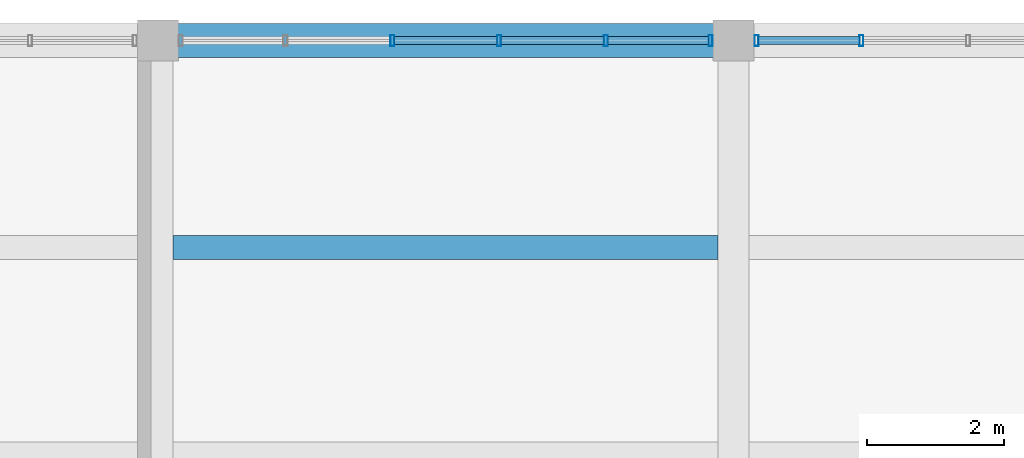
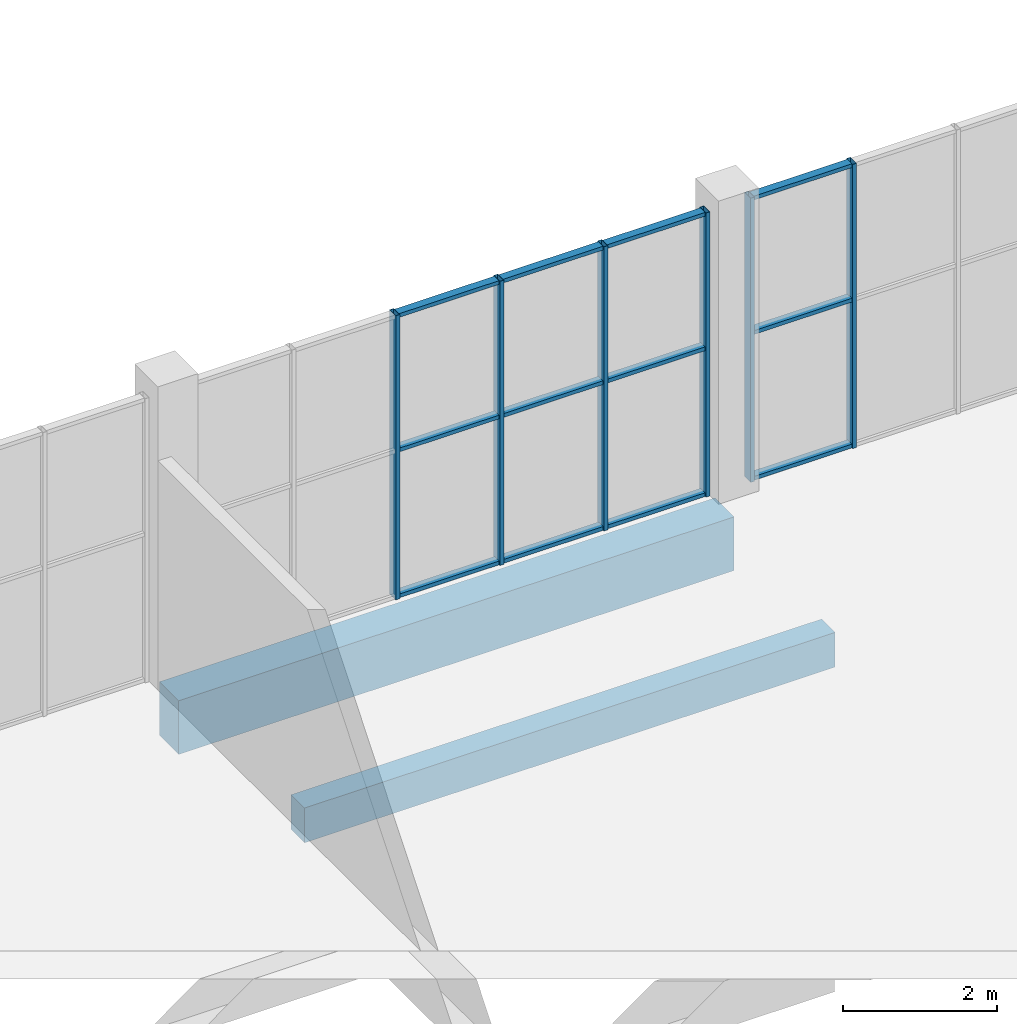
# One storey, part 39 of 80: 18 members, 2 beams, 2 elements without a shape of their own.
"""IFC4 building model written with IfcOpenShell, lengths in metres."""

from ifc_helpers import new_model, si_unit, direction, frame, origin, origin_2d, place, context, subcontext, project, spatial, rectangle, hollow_rectangle, extrude, material, material_profile, profile_set, type_object, element, aggregate, save


model = new_model("IFC4")

# Units and contexts
model_context = context("Model", 3, precision=1e-05, world=origin(), true_north=direction((0.0, 1.0)))
body_context = subcontext(model_context, "Body", "Model", "MODEL_VIEW")
ifc_project = project(units=[si_unit("LENGTHUNIT", "METRE"), si_unit("AREAUNIT", "SQUARE_METRE"), si_unit("VOLUMEUNIT", "CUBIC_METRE"), si_unit("PLANEANGLEUNIT", "RADIAN"), si_unit("MASSUNIT", "GRAM", prefix="KILO")], contexts=[model_context])

# Site, building, storey
site_placement = place(None, origin())
site = spatial("IfcSite", under=ifc_project, at=site_placement, CompositionType="ELEMENT")
building_placement = place(site_placement, origin())
building = spatial("IfcBuilding", under=site, at=building_placement, Name="Khurvash Pelagic Aquarium", CompositionType="ELEMENT")
storey_placement = place(building_placement, frame((0.0, 0.0, 10.800048828125)))
storey = spatial("IfcBuildingStorey", under=building, at=storey_placement, Name="L02", CompositionType="ELEMENT", Elevation=10.800048828125)

# Curtain wall, members
ifc_material_1 = material(Name="Anodised aluminium and low-E laminated glass", Category="aluminium")
curtain_wall_type = type_object("IfcCurtainWallType", Name="CW-06", PredefinedType="USERDEFINED", material=ifc_material_1)
curtain_wall_1_placement = place(storey_placement, origin())
curtain_wall_1 = element("IfcCurtainWall", 1, at=curtain_wall_1_placement, inside=storey, type_object=curtain_wall_type, Name="L02 Facade Unitised Curtain Wall CW-06 0164", ObjectType="UNITISED CURTAIN WALL", PredefinedType="USERDEFINED")
ifc_material_2 = material(Name="Extruded aluminium AW-6063-T6", Category="aluminium")
ifc_material_profile_1 = material_profile(ifc_material_2, hollow_rectangle(XDim=0.06005859375, YDim=0.159912109375, WallThickness=0.00390625, at=origin_2d()), Name="CWM60X160X4")
ifc_profile_set_1 = profile_set([ifc_material_profile_1], Name="Extruded aluminium AW-6063-T6")
member_type_1 = type_object("IfcMemberType", Name="CM-02", PredefinedType="MULLION", material=ifc_profile_set_1)
member_1_placement = place(storey_placement, frame((111.06298828125, 102.14990234375, 0.0), z_axis=(0.0, 0.0, 1.0), x_axis=(-1.0, 0.0, 0.0)))
member_1 = element("IfcMember", 2, at=member_1_placement, type_object=member_type_1, Name="CW-06 mullion 5", PredefinedType="MULLION", context=body_context, shape_type="SweptSolid", body=[
    extrude(hollow_rectangle(XDim=0.06005859375, YDim=0.159912109375, WallThickness=0.00390625, at=origin_2d()), origin(), (0.0, 0.0, 1.0), 4.5),
])
member_2_placement = place(storey_placement, frame((109.534912109375, 102.14990234375, 0.0), z_axis=(0.0, 0.0, 1.0), x_axis=(-1.0, 0.0, 0.0)))
member_2 = element("IfcMember", 3, at=member_2_placement, type_object=member_type_1, Name="CW-06 mullion 6", PredefinedType="MULLION", context=body_context, shape_type="SweptSolid", body=[
    extrude(hollow_rectangle(XDim=0.06005859375, YDim=0.159912109375, WallThickness=0.00390625, at=origin_2d()), origin(), (0.0, 0.0, 1.0), 4.5),
])

curtain_wall_2_placement = place(storey_placement, origin())
curtain_wall_2 = element("IfcCurtainWall", 4, at=curtain_wall_2_placement, inside=storey, type_object=curtain_wall_type, Name="L02 Facade Unitised Curtain Wall CW-06 0165", ObjectType="UNITISED CURTAIN WALL", PredefinedType="USERDEFINED")
member_3_placement = place(storey_placement, frame((108.864990234375, 102.14990234375, 0.0), z_axis=(0.0, 0.0, 1.0), x_axis=(-1.0, 0.0, 0.0)))
member_3 = element("IfcMember", 5, at=member_3_placement, type_object=member_type_1, Name="CW-06 mullion 1", PredefinedType="MULLION", context=body_context, shape_type="SweptSolid", body=[
    extrude(hollow_rectangle(XDim=0.06005859375, YDim=0.159912109375, WallThickness=0.00390625, at=origin_2d()), origin(), (0.0, 0.0, 1.0), 4.5),
])
member_4_placement = place(storey_placement, frame((107.3369140625, 102.14990234375, 0.0), z_axis=(0.0, 0.0, 1.0), x_axis=(-1.0, 0.0, 0.0)))
member_4 = element("IfcMember", 6, at=member_4_placement, type_object=member_type_1, Name="CW-06 mullion 2", PredefinedType="MULLION", context=body_context, shape_type="SweptSolid", body=[
    extrude(hollow_rectangle(XDim=0.06005859375, YDim=0.159912109375, WallThickness=0.00390625, at=origin_2d()), origin(), (0.0, 0.0, 1.0), 4.5),
])
member_5_placement = place(storey_placement, frame((105.779052734375, 102.14990234375, 0.0), z_axis=(0.0, 0.0, 1.0), x_axis=(-1.0, 0.0, 0.0)))
member_5 = element("IfcMember", 7, at=member_5_placement, type_object=member_type_1, Name="CW-06 mullion 3", PredefinedType="MULLION", context=body_context, shape_type="SweptSolid", body=[
    extrude(hollow_rectangle(XDim=0.06005859375, YDim=0.159912109375, WallThickness=0.00390625, at=origin_2d()), origin(), (0.0, 0.0, 1.0), 4.5),
])
member_6_placement = place(storey_placement, frame((104.220947265625, 102.14990234375, 0.0), z_axis=(0.0, 0.0, 1.0), x_axis=(-1.0, 0.0, 0.0)))
member_6 = element("IfcMember", 8, at=member_6_placement, type_object=member_type_1, Name="CW-06 mullion 4", PredefinedType="MULLION", context=body_context, shape_type="SweptSolid", body=[
    extrude(hollow_rectangle(XDim=0.06005859375, YDim=0.159912109375, WallThickness=0.00390625, at=origin_2d()), origin(), (0.0, 0.0, 1.0), 4.5),
])

# Member
ifc_material_profile_2 = material_profile(ifc_material_2, hollow_rectangle(XDim=0.1201171875, YDim=0.06005859375, WallThickness=0.00390625, at=origin_2d()), Name="CWT120X60X4")
ifc_profile_set_2 = profile_set([ifc_material_profile_2], Name="Extruded aluminium AW-6063-T6")
member_type_2 = type_object("IfcMemberType", Name="CT-02", PredefinedType="USERDEFINED", material=ifc_profile_set_2)
member_7_placement = place(storey_placement, frame((111.032958984375, 102.14990234375, 0.030029296875), z_axis=(-1.0, 0.0, 0.0), x_axis=(0.0, -1.0, 0.0)))
member_7 = element("IfcMember", 9, at=member_7_placement, type_object=member_type_2, Name="CW-06 transom 5.1", ObjectType="TRANSOM", PredefinedType="USERDEFINED", context=body_context, shape_type="SweptSolid", body=[
    extrude(hollow_rectangle(XDim=0.1201171875, YDim=0.06005859375, WallThickness=0.00390625, at=origin_2d()), origin(), (0.0, 0.0, 1.0), 1.468017578125),
])

member_8_placement = place(storey_placement, frame((111.032958984375, 102.14990234375, 2.33984375), z_axis=(-1.0, 0.0, 0.0), x_axis=(0.0, -1.0, 0.0)))
member_8 = element("IfcMember", 10, at=member_8_placement, type_object=member_type_2, Name="CW-06 transom 5.2", ObjectType="TRANSOM", PredefinedType="USERDEFINED", context=body_context, shape_type="SweptSolid", body=[
    extrude(hollow_rectangle(XDim=0.1201171875, YDim=0.06005859375, WallThickness=0.00390625, at=origin_2d()), origin(), (0.0, 0.0, 1.0), 1.468017578125),
])

member_9_placement = place(storey_placement, frame((111.032958984375, 102.14990234375, 4.469970703125), z_axis=(-1.0, 0.0, 0.0), x_axis=(0.0, -1.0, 0.0)))
member_9 = element("IfcMember", 11, at=member_9_placement, type_object=member_type_2, Name="CW-06 transom 5.3", ObjectType="TRANSOM", PredefinedType="USERDEFINED", context=body_context, shape_type="SweptSolid", body=[
    extrude(hollow_rectangle(XDim=0.1201171875, YDim=0.06005859375, WallThickness=0.00390625, at=origin_2d()), origin(), (0.0, 0.0, 1.0), 1.468017578125),
])

aggregate(curtain_wall_1, [member_1, member_2, member_7, member_8, member_9])

member_10_placement = place(storey_placement, frame((108.8349609375, 102.14990234375, 0.030029296875), z_axis=(-1.0, 0.0, 0.0), x_axis=(0.0, -1.0, 0.0)))
member_10 = element("IfcMember", 12, at=member_10_placement, type_object=member_type_2, Name="CW-06 transom 1.1", ObjectType="TRANSOM", PredefinedType="USERDEFINED", context=body_context, shape_type="SweptSolid", body=[
    extrude(hollow_rectangle(XDim=0.1201171875, YDim=0.06005859375, WallThickness=0.00390625, at=origin_2d()), origin(), (0.0, 0.0, 1.0), 1.468017578125),
])

member_11_placement = place(storey_placement, frame((108.8349609375, 102.14990234375, 2.33984375), z_axis=(-1.0, 0.0, 0.0), x_axis=(0.0, -1.0, 0.0)))
member_11 = element("IfcMember", 13, at=member_11_placement, type_object=member_type_2, Name="CW-06 transom 1.2", ObjectType="TRANSOM", PredefinedType="USERDEFINED", context=body_context, shape_type="SweptSolid", body=[
    extrude(hollow_rectangle(XDim=0.1201171875, YDim=0.06005859375, WallThickness=0.00390625, at=origin_2d()), origin(), (0.0, 0.0, 1.0), 1.468017578125),
])

member_12_placement = place(storey_placement, frame((108.8349609375, 102.14990234375, 4.469970703125), z_axis=(-1.0, 0.0, 0.0), x_axis=(0.0, -1.0, 0.0)))
member_12 = element("IfcMember", 14, at=member_12_placement, type_object=member_type_2, Name="CW-06 transom 1.3", ObjectType="TRANSOM", PredefinedType="USERDEFINED", context=body_context, shape_type="SweptSolid", body=[
    extrude(hollow_rectangle(XDim=0.1201171875, YDim=0.06005859375, WallThickness=0.00390625, at=origin_2d()), origin(), (0.0, 0.0, 1.0), 1.468017578125),
])

member_13_placement = place(storey_placement, frame((107.306884765625, 102.14990234375, 0.030029296875), z_axis=(-1.0, 0.0, 0.0), x_axis=(0.0, -1.0, 0.0)))
member_13 = element("IfcMember", 15, at=member_13_placement, type_object=member_type_2, Name="CW-06 transom 2.1", ObjectType="TRANSOM", PredefinedType="USERDEFINED", context=body_context, shape_type="SweptSolid", body=[
    extrude(hollow_rectangle(XDim=0.1201171875, YDim=0.06005859375, WallThickness=0.00390625, at=origin_2d()), origin(), (0.0, 0.0, 1.0), 1.497802734375),
])

member_14_placement = place(storey_placement, frame((107.306884765625, 102.14990234375, 2.33984375), z_axis=(-1.0, 0.0, 0.0), x_axis=(0.0, -1.0, 0.0)))
member_14 = element("IfcMember", 16, at=member_14_placement, type_object=member_type_2, Name="CW-06 transom 2.2", ObjectType="TRANSOM", PredefinedType="USERDEFINED", context=body_context, shape_type="SweptSolid", body=[
    extrude(hollow_rectangle(XDim=0.1201171875, YDim=0.06005859375, WallThickness=0.00390625, at=origin_2d()), origin(), (0.0, 0.0, 1.0), 1.497802734375),
])

member_15_placement = place(storey_placement, frame((107.306884765625, 102.14990234375, 4.469970703125), z_axis=(-1.0, 0.0, 0.0), x_axis=(0.0, -1.0, 0.0)))
member_15 = element("IfcMember", 17, at=member_15_placement, type_object=member_type_2, Name="CW-06 transom 2.3", ObjectType="TRANSOM", PredefinedType="USERDEFINED", context=body_context, shape_type="SweptSolid", body=[
    extrude(hollow_rectangle(XDim=0.1201171875, YDim=0.06005859375, WallThickness=0.00390625, at=origin_2d()), origin(), (0.0, 0.0, 1.0), 1.497802734375),
])

member_16_placement = place(storey_placement, frame((105.7490234375, 102.14990234375, 0.030029296875), z_axis=(-1.0, 0.0, 0.0), x_axis=(0.0, -1.0, 0.0)))
member_16 = element("IfcMember", 18, at=member_16_placement, type_object=member_type_2, Name="CW-06 transom 3.1", ObjectType="TRANSOM", PredefinedType="USERDEFINED", context=body_context, shape_type="SweptSolid", body=[
    extrude(hollow_rectangle(XDim=0.1201171875, YDim=0.06005859375, WallThickness=0.00390625, at=origin_2d()), origin(), (0.0, 0.0, 1.0), 1.498046875),
])

member_17_placement = place(storey_placement, frame((105.7490234375, 102.14990234375, 2.33984375), z_axis=(-1.0, 0.0, 0.0), x_axis=(0.0, -1.0, 0.0)))
member_17 = element("IfcMember", 19, at=member_17_placement, type_object=member_type_2, Name="CW-06 transom 3.2", ObjectType="TRANSOM", PredefinedType="USERDEFINED", context=body_context, shape_type="SweptSolid", body=[
    extrude(hollow_rectangle(XDim=0.1201171875, YDim=0.06005859375, WallThickness=0.00390625, at=origin_2d()), origin(), (0.0, 0.0, 1.0), 1.498046875),
])

member_18_placement = place(storey_placement, frame((105.7490234375, 102.14990234375, 4.469970703125), z_axis=(-1.0, 0.0, 0.0), x_axis=(0.0, -1.0, 0.0)))
member_18 = element("IfcMember", 20, at=member_18_placement, type_object=member_type_2, Name="CW-06 transom 3.3", ObjectType="TRANSOM", PredefinedType="USERDEFINED", context=body_context, shape_type="SweptSolid", body=[
    extrude(hollow_rectangle(XDim=0.1201171875, YDim=0.06005859375, WallThickness=0.00390625, at=origin_2d()), origin(), (0.0, 0.0, 1.0), 1.498046875),
])

aggregate(curtain_wall_2, [member_3, member_4, member_5, member_6, member_10, member_11, member_12, member_13, member_14, member_15, member_16, member_17, member_18])

# Beams
ifc_material_3 = material(Name="Concrete C35/45", Category="concrete")
ifc_material_profile_3 = material_profile(ifc_material_3, rectangle(XDim=0.35009765625, YDim=0.550048828125, at=origin_2d()), Name="RC350X550")
ifc_profile_set_3 = profile_set([ifc_material_profile_3], Name="Concrete C35/45")
beam_type_1 = type_object("IfcBeamType", Name="JS-01", PredefinedType="JOIST", material=ifc_profile_set_3)
beam_1_placement = place(storey_placement, frame((101.02490234375, 99.133056640625, -0.574951171875), z_axis=(1.0, 0.0, 0.0), x_axis=(0.0, 1.0, 0.0)))
element("IfcBeam", 21, at=beam_1_placement, inside=storey, type_object=beam_type_1, Name="L02 Floor Joist JS-01 00824", PredefinedType="JOIST", context=body_context, shape_type="SweptSolid", body=[
    extrude(rectangle(XDim=0.35009765625, YDim=0.550048828125, at=origin_2d()), origin(), (0.0, 0.0, 1.0), 7.9501953125),
])
ifc_material_4 = material(Name="Concrete C40/50", Category="concrete")
ifc_material_profile_4 = material_profile(ifc_material_4, rectangle(XDim=0.5, YDim=0.85009765625, at=origin_2d()), Name="RC500X850")
ifc_profile_set_4 = profile_set([ifc_material_profile_4], Name="Concrete C40/50")
beam_type_2 = type_object("IfcBeamType", Name="SEB-03", PredefinedType="SPANDREL", material=ifc_profile_set_4)
beam_2_placement = place(storey_placement, frame((100.840087890625, 102.14990234375, -0.7451171875), z_axis=(1.0, 0.0, 0.0), x_axis=(0.0, 1.0, 0.0)))
element("IfcBeam", 22, at=beam_2_placement, inside=storey, type_object=beam_type_2, Name="L02 Primary Girder SEB-03 00647", PredefinedType="SPANDREL", context=body_context, shape_type="SweptSolid", body=[
    extrude(rectangle(XDim=0.5, YDim=0.85009765625, at=origin_2d()), origin(), (0.0, 0.0, 1.0), 8.31982421875),
])

save(model, "model.ifc")
